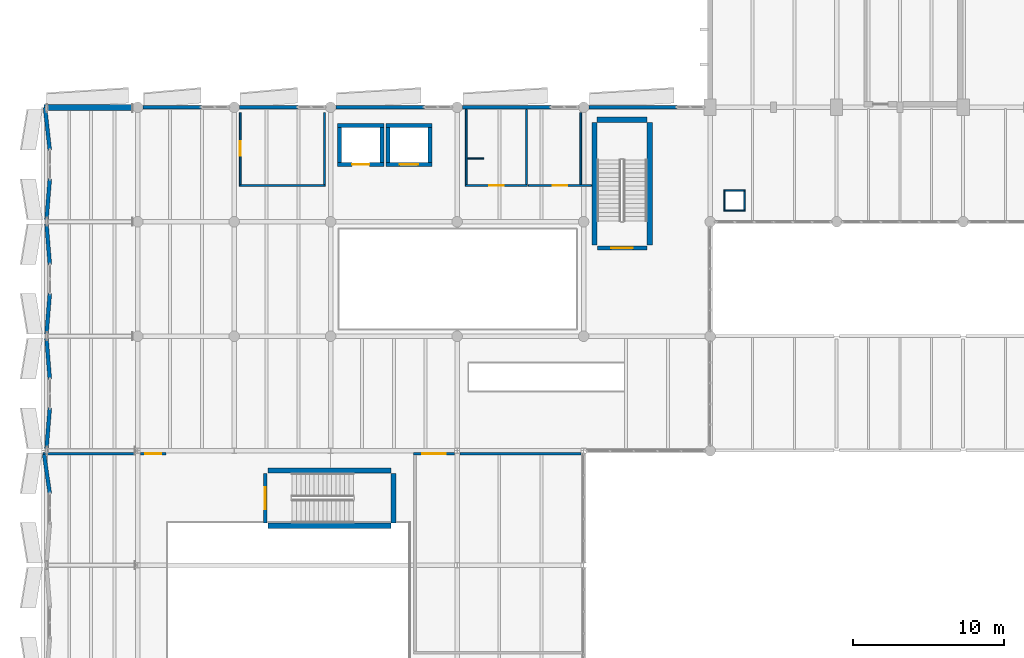
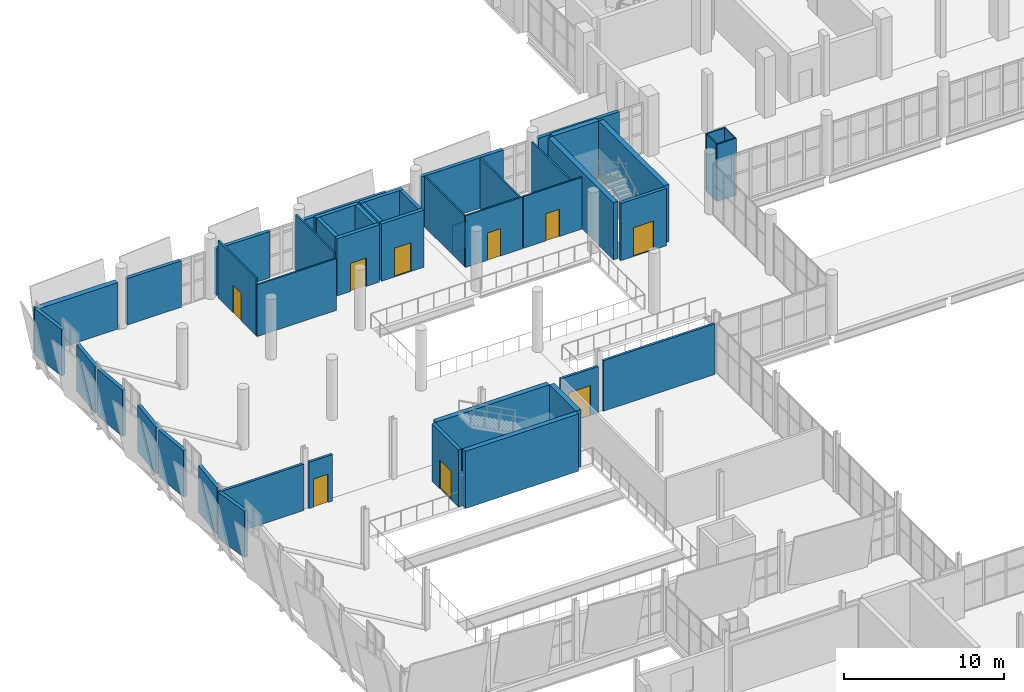
# One storey, part 119 of 136: 46 walls, 9 doors, 9 openings.
"""IFC4 building model written with IfcOpenShell, lengths in metres."""

from ifc_helpers import new_model, si_unit, direction, frame, frame_2d, origin, place, context, subcontext, project, spatial, rectangle, extrude, material, layer, layer_set, type_object, element, fill, save


model = new_model("IFC4")

# Units and contexts
model_context = context("Model", 3, precision=1e-05, world=origin(), true_north=direction((0.0, 1.0)))
body_context = subcontext(model_context, "Body", "Model", "MODEL_VIEW")
ifc_project = project(units=[si_unit("LENGTHUNIT", "METRE"), si_unit("AREAUNIT", "SQUARE_METRE"), si_unit("VOLUMEUNIT", "CUBIC_METRE"), si_unit("PLANEANGLEUNIT", "RADIAN"), si_unit("MASSUNIT", "GRAM", prefix="KILO")], contexts=[model_context])

# Site, building, storey
site_placement = place(None, origin())
site = spatial("IfcSite", under=ifc_project, at=site_placement, CompositionType="ELEMENT")
building_placement = place(site_placement, origin())
building = spatial("IfcBuilding", under=site, at=building_placement, Name="Shengluoqiao Park Theatre", CompositionType="ELEMENT")
storey_placement = place(building_placement, frame((0.0, 0.0, 10.0)))
storey = spatial("IfcBuildingStorey", under=building, at=storey_placement, Name="L02", CompositionType="ELEMENT", Elevation=10.0)

# Walls
ifc_material_1 = material(Name="Concrete C45", Category="concrete")
ifc_layer_1 = layer(ifc_material_1, 0.3798828125, Name="Concrete C45")
ifc_layer_set_1 = layer_set([ifc_layer_1], Name="Concrete C45")
wall_type_1 = type_object("IfcWallType", Name="ENV-WL-CONC380", PredefinedType="STANDARD", material=ifc_layer_set_1)
wall_1_placement = place(storey_placement, frame((0.179931640625, 75.97998046875, 0.0), z_axis=(0.0, 0.0, 1.0), x_axis=(1.0, 0.0, 0.0)))
element("IfcWall", 1, at=wall_1_placement, inside=storey, type_object=wall_type_1, Name="L02 Exterior Wall 0119", PredefinedType="STANDARD", context=body_context, shape_type="SweptSolid", body=[
    extrude(rectangle(XDim=5.865966796875, YDim=0.3798828125, at=frame_2d((2.93310546875, 0.0))), origin(), (0.0, 0.0, 1.0), 3.5380859375),
])
ifc_material_2 = material(Name="Precast concrete C45", Category="concrete")
ifc_layer_2 = layer(ifc_material_2, 0.25, Name="Precast concrete C45")
ifc_layer_set_2 = layer_set([ifc_layer_2], Name="Precast concrete C45")
wall_type_2 = type_object("IfcWallType", Name="ENV-WL-CRYS250", PredefinedType="STANDARD", material=ifc_layer_set_2)
wall_2_placement = place(storey_placement, frame((6.75390625, 76.0, 0.0), z_axis=(0.0, 0.0, 1.0), x_axis=(1.0, 0.0, 0.0)))
element("IfcWall", 2, at=wall_2_placement, inside=storey, type_object=wall_type_2, Name="L02 Exterior Wall 0120", PredefinedType="STANDARD", context=body_context, shape_type="SweptSolid", body=[
    extrude(rectangle(XDim=3.89208984375, YDim=0.25, at=frame_2d((1.946044921875, 0.0))), origin(), (0.0, 0.0, 1.0), 3.5380859375),
])
wall_3_placement = place(storey_placement, frame((13.154052734375, 76.0, 0.0), z_axis=(0.0, 0.0, 1.0), x_axis=(1.0, 0.0, 0.0)))
element("IfcWall", 3, at=wall_3_placement, inside=storey, type_object=wall_type_2, Name="L02 Exterior Wall 0121", PredefinedType="STANDARD", context=body_context, shape_type="SweptSolid", body=[
    extrude(rectangle(XDim=3.891845703125, YDim=0.25, at=frame_2d((1.94580078125, 0.0))), origin(), (0.0, 0.0, 1.0), 3.5380859375),
])
wall_4_placement = place(storey_placement, frame((19.553955078125, 76.0, 0.0), z_axis=(0.0, 0.0, 1.0), x_axis=(1.0, 0.0, 0.0)))
element("IfcWall", 4, at=wall_4_placement, inside=storey, type_object=wall_type_2, Name="L02 Exterior Wall 0122", PredefinedType="STANDARD", context=body_context, shape_type="SweptSolid", body=[
    extrude(rectangle(XDim=5.89208984375, YDim=0.25, at=frame_2d((2.946044921875, 0.0))), origin(), (0.0, 0.0, 1.0), 3.5380859375),
])
wall_5_placement = place(storey_placement, frame((27.9541015625, 76.0, 0.0), z_axis=(0.0, 0.0, 1.0), x_axis=(1.0, 0.0, 0.0)))
element("IfcWall", 5, at=wall_5_placement, inside=storey, type_object=wall_type_2, Name="L02 Exterior Wall 0123", PredefinedType="STANDARD", context=body_context, shape_type="SweptSolid", body=[
    extrude(rectangle(XDim=5.891845703125, YDim=0.25, at=frame_2d((2.94580078125, 0.0))), origin(), (0.0, 0.0, 1.0), 3.85009765625),
])
wall_6_placement = place(storey_placement, frame((36.35400390625, 76.0, 0.0), z_axis=(0.0, 0.0, 1.0), x_axis=(1.0, 0.0, 0.0)))
element("IfcWall", 6, at=wall_6_placement, inside=storey, type_object=wall_type_2, Name="L02 Exterior Wall 0124", PredefinedType="STANDARD", context=body_context, shape_type="SweptSolid", body=[
    extrude(rectangle(XDim=5.842041015625, YDim=0.25, at=frame_2d((2.9208984375, 0.0))), origin(), (0.0, 0.0, 1.0), 3.85009765625),
])
wall_7_placement = place(storey_placement, frame((0.56005859375, 50.340087890625, 0.0), z_axis=(0.0, 0.0, 1.0), x_axis=(-0.14359008471, 0.989637250498, 0.0)))
element("IfcWall", 7, at=wall_7_placement, inside=storey, type_object=wall_type_2, Name="L02 Exterior Wall 0343", PredefinedType="STANDARD", context=body_context, shape_type="SweptSolid", body=[
    extrude(rectangle(XDim=2.647216796875, YDim=0.25, at=frame_2d((1.32373046875, 0.0))), origin(), (0.0, 0.0, 1.0), 3.5380859375),
])
for number, where, z_axis, x_axis, name in (
    (8, (0.340087890625, 53.344970703125, 0.0), (0.0, 0.0, 1.0), (0.080753299301, 0.996734119338, 0.0), "L02 Exterior Wall 0344"),
    (9, (0.56005859375, 57.93994140625, 0.0), (0.0, 0.0, 1.0), (-0.080753299301, 0.996734119338, 0.0), "L02 Exterior Wall 0345"),
):
    element("IfcWall", number, at=place(storey_placement, frame(where, z_axis=z_axis, x_axis=x_axis)), inside=storey, type_object=wall_type_2, Name=name, PredefinedType="STANDARD", context=body_context, shape_type="SweptSolid", body=[
        extrude(rectangle(XDim=2.723876953125, YDim=0.25, at=frame_2d((1.36181640625, 0.0))), origin(), (0.0, 0.0, 1.0), 3.5380859375),
    ])
for number, where, z_axis, x_axis, name in (
    (10, (0.340087890625, 60.945068359375, 0.0), (0.0, 0.0, 1.0), (0.080760513926, 0.996733534798, 0.0), "L02 Exterior Wall 0346"),
    (11, (0.56005859375, 65.5400390625, 0.0), (0.0, 0.0, 1.0), (-0.080760513926, 0.996733534798, 0.0), "L02 Exterior Wall 0347"),
):
    element("IfcWall", number, at=place(storey_placement, frame(where, z_axis=z_axis, x_axis=x_axis)), inside=storey, type_object=wall_type_2, Name=name, PredefinedType="STANDARD", context=body_context, shape_type="SweptSolid", body=[
        extrude(rectangle(XDim=2.7236328125, YDim=0.25, at=frame_2d((1.36181640625, 0.0))), origin(), (0.0, 0.0, 1.0), 3.5380859375),
    ])
wall_8_placement = place(storey_placement, frame((0.340087890625, 68.544921875, 0.0), z_axis=(0.0, 0.0, 1.0), x_axis=(0.080753299301, 0.996734119338, 0.0)))
element("IfcWall", 12, at=wall_8_placement, inside=storey, type_object=wall_type_2, Name="L02 Exterior Wall 0348", PredefinedType="STANDARD", context=body_context, shape_type="SweptSolid", body=[
    extrude(rectangle(XDim=2.723876953125, YDim=0.25, at=frame_2d((1.36181640625, 0.0))), origin(), (0.0, 0.0, 1.0), 3.5380859375),
])
wall_9_placement = place(storey_placement, frame((0.56005859375, 73.139892578125, 0.0), z_axis=(0.0, 0.0, 1.0), x_axis=(-0.111987730746, 0.993709589449, 0.0)))
element("IfcWall", 13, at=wall_9_placement, inside=storey, type_object=wall_type_2, Name="L02 Exterior Wall 0349", PredefinedType="STANDARD", context=body_context, shape_type="SweptSolid", body=[
    extrude(rectangle(XDim=2.858154296875, YDim=0.25, at=frame_2d((1.42919921875, 0.0))), origin(), (0.0, 0.0, 1.0), 3.5380859375),
])

# Wall, opening, door
ifc_material_3 = material(Name="Gypsum acoustic stud", Category="gypsum")
ifc_layer_3 = layer(ifc_material_3, 0.175048828125, Name="Gypsum acoustic stud")
ifc_layer_set_3 = layer_set([ifc_layer_3], Name="Gypsum acoustic stud")
wall_type_3 = type_object("IfcWallType", Name="INT-WL-COR175", PredefinedType="PARTITIONING", material=ifc_layer_set_3)
wall_10_placement = place(storey_placement, frame((6.580078125, 53.0, 0.0), z_axis=(0.0, 0.0, 1.0), x_axis=(1.0, 0.0, 0.0)))
wall_10 = element("IfcWall", 14, at=wall_10_placement, inside=storey, type_object=wall_type_3, Name="Studio Lighting Catwalk and Control Suite Partition N", PredefinedType="PARTITIONING", context=body_context, shape_type="SweptSolid", body=[
    extrude(rectangle(XDim=1.70751953125, YDim=0.175048828125, at=frame_2d((0.853759765625, 0.0))), origin(), (0.0, 0.0, 1.0), 3.5380859375),
])
opening_1_placement = place(wall_10_placement, frame((0.32373046875, 0.0, 0.0)))
opening_1 = element("IfcOpeningElement", 15, at=opening_1_placement, cuts=wall_10, Name="Opening D-L02-069", PredefinedType="OPENING", context=body_context, shape_type="SweptSolid", body=[
    extrude(rectangle(XDim=1.06005859375, YDim=2.14990234375, at=frame_2d((0.530029296875, 1.074951171875))), frame((0.0, 0.097412109375, 0.0), z_axis=(0.0, -1.0, 0.0), x_axis=(1.0, 0.0, 0.0)), (0.0, 0.0, 1.0), 0.195068359375),
])
ifc_material_4 = material(Name="Acoustic timber", Category="wood")
door_type_1 = type_object("IfcDoorType", Name="INT-DR-SNG106", OperationType="NOTDEFINED", PredefinedType="DOOR", material=ifc_material_4)
door_1_placement = place(opening_1_placement, origin())
door_1 = element("IfcDoor", 16, at=door_1_placement, inside=storey, type_object=door_type_1, Name="Studio Lighting Catwalk and Control Suite Door D-L02-069", OperationType="SINGLE_SWING_RIGHT", OverallHeight=2.14990234375, OverallWidth=1.06005859375, PredefinedType="DOOR", context=body_context, shape_type="SweptSolid", body=[
    extrude(rectangle(XDim=1.06005859375, YDim=2.14990234375, at=frame_2d((0.530029296875, 1.074951171875))), frame((0.0, 0.02490234375, 0.0), z_axis=(0.0, -1.0, 0.0), x_axis=(1.0, 0.0, 0.0)), (0.0, 0.0, 1.0), 0.050048828125),
])
fill(opening_1, door_1)

# Wall
wall_11_placement = place(storey_placement, frame((0.112548828125, 53.0, 0.0), z_axis=(0.0, 0.0, 1.0), x_axis=(1.0, 0.0, 0.0)))
element("IfcWall", 17, at=wall_11_placement, inside=storey, type_object=wall_type_3, Name="Studio Lighting Catwalk and Control Suite Partition N", PredefinedType="PARTITIONING", context=body_context, shape_type="SweptSolid", body=[
    extrude(rectangle(XDim=6.107421875, YDim=0.175048828125, at=frame_2d((3.0537109375, 0.0))), origin(), (0.0, 0.0, 1.0), 3.5380859375),
])

# Wall, opening, door
wall_12_placement = place(storey_placement, frame((24.71240234375, 53.0, 0.0), z_axis=(0.0, 0.0, 1.0), x_axis=(1.0, 0.0, 0.0)))
wall_12 = element("IfcWall", 18, at=wall_12_placement, inside=storey, type_object=wall_type_3, Name="Studio East Acoustic Observation Salon Partition N", PredefinedType="PARTITIONING", context=body_context, shape_type="SweptSolid", body=[
    extrude(rectangle(XDim=2.70751953125, YDim=0.175048828125, at=frame_2d((1.353759765625, 0.0))), origin(), (0.0, 0.0, 1.0), 3.5380859375),
])
opening_2_placement = place(wall_12_placement, frame((0.563720703125, 0.0, 0.0)))
opening_2 = element("IfcOpeningElement", 19, at=opening_2_placement, cuts=wall_12, Name="Opening D-L02-070", PredefinedType="OPENING", context=body_context, shape_type="SweptSolid", body=[
    extrude(rectangle(XDim=1.580078125, YDim=2.280029296875, at=frame_2d((0.7900390625, 1.14013671875))), frame((0.0, 0.097412109375, 0.0), z_axis=(0.0, -1.0, 0.0), x_axis=(1.0, 0.0, 0.0)), (0.0, 0.0, 1.0), 0.195068359375),
])
ifc_material_5 = material(Name="Aluminium 6063-T6", Category="aluminium")
door_type_2 = type_object("IfcDoorType", Name="INT-DR-FOY158", OperationType="DOUBLE_DOOR_SINGLE_SWING", PredefinedType="DOOR", material=ifc_material_5)
door_2_placement = place(opening_2_placement, origin())
door_2 = element("IfcDoor", 20, at=door_2_placement, inside=storey, type_object=door_type_2, Name="Studio East Acoustic Observation Salon Door D-L02-070", OperationType="DOUBLE_DOOR_SINGLE_SWING", OverallHeight=2.280029296875, OverallWidth=1.580078125, PredefinedType="DOOR", context=body_context, shape_type="SweptSolid", body=[
    extrude(rectangle(XDim=1.580078125, YDim=2.280029296875, at=frame_2d((0.7900390625, 1.14013671875))), frame((0.0, 0.02490234375, 0.0), z_axis=(0.0, -1.0, 0.0), x_axis=(1.0, 0.0, 0.0)), (0.0, 0.0, 1.0), 0.050048828125),
])
fill(opening_2, door_2)

# Walls
wall_13_placement = place(storey_placement, frame((27.780029296875, 53.0, 0.0), z_axis=(0.0, 0.0, 1.0), x_axis=(1.0, 0.0, 0.0)))
element("IfcWall", 21, at=wall_13_placement, inside=storey, type_object=wall_type_3, Name="Studio East Acoustic Observation Salon Partition N", PredefinedType="PARTITIONING", context=body_context, shape_type="SweptSolid", body=[
    extrude(rectangle(XDim=8.0380859375, YDim=0.175048828125, at=frame_2d((4.01904296875, 0.0))), origin(), (0.0, 0.0, 1.0), 3.85009765625),
])
ifc_material_6 = material(Name="Compact laminate")
ifc_layer_4 = layer(ifc_material_6, 0.074951171875, Name="Compact laminate")
ifc_layer_set_4 = layer_set([ifc_layer_4], Name="Compact laminate")
wall_type_4 = type_object("IfcWallType", Name="INT-WL-CUB075", PredefinedType="PARTITIONING", material=ifc_layer_set_4)
wall_14_placement = place(storey_placement, frame((28.27001953125, 72.60009765625, 0.0), z_axis=(0.0, 0.0, 1.0), x_axis=(1.0, 0.0, 0.0)))
element("IfcWall", 22, at=wall_14_placement, inside=storey, type_object=wall_type_4, Name="L02 WC Cubicle Partition 05", PredefinedType="PARTITIONING", context=body_context, shape_type="SweptSolid", body=[
    extrude(rectangle(XDim=1.10009765625, YDim=0.074951171875, at=frame_2d((0.550048828125, 0.0))), origin(), (0.0, 0.0, 1.0), 2.050048828125),
])
ifc_material_7 = material(Name="Gypsum shaftwall", Category="gypsum")
ifc_layer_5 = layer(ifc_material_7, 0.094970703125, Name="Gypsum shaftwall")
ifc_layer_set_5 = layer_set([ifc_layer_5], Name="Gypsum shaftwall")
wall_type_5 = type_object("IfcWallType", Name="INT-WL-RSR095", PredefinedType="PARTITIONING", material=ifc_layer_set_5)
for number, where, z_axis, x_axis, name in (
    (23, (45.304931640625, 69.14990234375, 0.0), (0.0, 0.0, 1.0), (1.0, 0.0, 0.0), "L02 Service Riser Shaftwall 125"),
    (24, (45.304931640625, 70.469970703125, 0.0), (0.0, 0.0, 1.0), (1.0, 0.0, 0.0), "L02 Service Riser Shaftwall 126"),
):
    element("IfcWall", number, at=place(storey_placement, frame(where, z_axis=z_axis, x_axis=x_axis)), inside=storey, type_object=wall_type_5, Name=name, PredefinedType="PARTITIONING", context=body_context, shape_type="SweptSolid", body=[
        extrude(rectangle(XDim=1.41015625, YDim=0.094970703125, at=frame_2d((0.705078125, 0.0))), origin(), (0.0, 0.0, 1.0), 4.360107421875),
    ])
for number, where, z_axis, x_axis, name in (
    (25, (45.35009765625, 69.205078125, 0.0), (0.0, 0.0, 1.0), (0.0, 1.0, 0.0), "L02 Service Riser Shaftwall 127"),
    (26, (46.669921875, 69.205078125, 0.0), (0.0, 0.0, 1.0), (0.0, 1.0, 0.0), "L02 Service Riser Shaftwall 128"),
):
    element("IfcWall", number, at=place(storey_placement, frame(where, z_axis=z_axis, x_axis=x_axis)), inside=storey, type_object=wall_type_5, Name=name, PredefinedType="PARTITIONING", context=body_context, shape_type="SweptSolid", body=[
        extrude(rectangle(XDim=1.2099609375, YDim=0.094970703125, at=frame_2d((0.60498046875, 0.0))), origin(), (0.0, 0.0, 1.0), 4.360107421875),
    ])

# Wall, opening, door
ifc_material_8 = material(Name="Concrete C40", Category="concrete")
ifc_layer_6 = layer(ifc_material_8, 0.260009765625, Name="Concrete C40")
ifc_layer_set_6 = layer_set([ifc_layer_6], Name="Concrete C40")
wall_type_6 = type_object("IfcWallType", Name="INT-WL-SHF260", PredefinedType="STANDARD", material=ifc_layer_set_6)
wall_15_placement = place(storey_placement, frame((19.669921875, 72.199951171875, 0.0), z_axis=(0.0, 0.0, 1.0), x_axis=(1.0, 0.0, 0.0)))
wall_15 = element("IfcWall", 27, at=wall_15_placement, inside=storey, type_object=wall_type_6, Name="L02 PL1 Lift Shaft Wall South", PredefinedType="STANDARD", context=body_context, shape_type="SweptSolid", body=[
    extrude(rectangle(XDim=3.06005859375, YDim=0.260009765625, at=frame_2d((1.530029296875, 0.0))), origin(), (0.0, 0.0, 1.0), 4.360107421875),
])
opening_3_placement = place(wall_15_placement, frame((0.955078125, 0.0, 0.0)))
opening_3 = element("IfcOpeningElement", 28, at=opening_3_placement, cuts=wall_15, Name="Opening LD-PL1-L02", PredefinedType="OPENING", context=body_context, shape_type="SweptSolid", body=[
    extrude(rectangle(XDim=1.14990234375, YDim=2.14990234375, at=frame_2d((0.574951171875, 1.074951171875))), frame((0.0, 0.139892578125, 0.0), z_axis=(0.0, -1.0, 0.0), x_axis=(1.0, 0.0, 0.0)), (0.0, 0.0, 1.0), 0.280029296875),
])
ifc_material_9 = material(Name="Stainless steel 304", Category="steel")
door_type_3 = type_object("IfcDoorType", Name="INT-DR-LD115", OperationType="SLIDING_TO_LEFT", PredefinedType="DOOR", material=ifc_material_9)
door_3_placement = place(opening_3_placement, origin())
door_3 = element("IfcDoor", 29, at=door_3_placement, inside=storey, type_object=door_type_3, Name="PL1 Lift Landing Door LD-PL1-L02", OperationType="SLIDING_TO_LEFT", OverallHeight=2.14990234375, OverallWidth=1.14990234375, PredefinedType="DOOR", context=body_context, shape_type="SweptSolid", body=[
    extrude(rectangle(XDim=1.14990234375, YDim=2.14990234375, at=frame_2d((0.574951171875, 1.074951171875))), frame((0.0, 0.02490234375, 0.0), z_axis=(0.0, -1.0, 0.0), x_axis=(1.0, 0.0, 0.0)), (0.0, 0.0, 1.0), 0.050048828125),
])
fill(opening_3, door_3)

# Walls
wall_16_placement = place(storey_placement, frame((19.669921875, 74.800048828125, 0.0), z_axis=(0.0, 0.0, 1.0), x_axis=(1.0, 0.0, 0.0)))
element("IfcWall", 30, at=wall_16_placement, inside=storey, type_object=wall_type_6, Name="L02 PL1 Lift Shaft Wall North", PredefinedType="STANDARD", context=body_context, shape_type="SweptSolid", body=[
    extrude(rectangle(XDim=3.06005859375, YDim=0.260009765625, at=frame_2d((1.530029296875, 0.0))), origin(), (0.0, 0.0, 1.0), 4.360107421875),
])
for number, where, z_axis, x_axis, name in (
    (31, (19.800048828125, 72.3359375, 0.0), (0.0, 0.0, 1.0), (0.0, 1.0, 0.0), "L02 PL1 Lift Shaft Wall West"),
    (32, (22.60009765625, 72.3359375, 0.0), (0.0, 0.0, 1.0), (0.0, 1.0, 0.0), "L02 PL1 Lift Shaft Wall East"),
):
    element("IfcWall", number, at=place(storey_placement, frame(where, z_axis=z_axis, x_axis=x_axis)), inside=storey, type_object=wall_type_6, Name=name, PredefinedType="STANDARD", context=body_context, shape_type="SweptSolid", body=[
        extrude(rectangle(XDim=2.328125, YDim=0.260009765625, at=frame_2d((1.1640625, 0.0))), origin(), (0.0, 0.0, 1.0), 4.360107421875),
    ])

# Wall, opening, door
wall_17_placement = place(storey_placement, frame((22.8701171875, 72.199951171875, 0.0), z_axis=(0.0, 0.0, 1.0), x_axis=(1.0, 0.0, 0.0)))
wall_17 = element("IfcWall", 33, at=wall_17_placement, inside=storey, type_object=wall_type_6, Name="L02 PL2 Lift Shaft Wall South", PredefinedType="STANDARD", context=body_context, shape_type="SweptSolid", body=[
    extrude(rectangle(XDim=3.059814453125, YDim=0.260009765625, at=frame_2d((1.52978515625, 0.0))), origin(), (0.0, 0.0, 1.0), 4.360107421875),
])
opening_4_placement = place(wall_17_placement, frame((0.919921875, 0.0, 0.0)))
opening_4 = element("IfcOpeningElement", 34, at=opening_4_placement, cuts=wall_17, Name="Opening LD-PL2-L02", PredefinedType="OPENING", context=body_context, shape_type="SweptSolid", body=[
    extrude(rectangle(XDim=1.219970703125, YDim=2.199951171875, at=frame_2d((0.60986328125, 1.10009765625))), frame((0.0, 0.139892578125, 0.0), z_axis=(0.0, -1.0, 0.0), x_axis=(1.0, 0.0, 0.0)), (0.0, 0.0, 1.0), 0.280029296875),
])
door_type_4 = type_object("IfcDoorType", Name="INT-DR-LD122", OperationType="SLIDING_TO_RIGHT", PredefinedType="DOOR", material=ifc_material_9)
door_4_placement = place(opening_4_placement, origin())
door_4 = element("IfcDoor", 35, at=door_4_placement, inside=storey, type_object=door_type_4, Name="PL2 Lift Landing Door LD-PL2-L02", OperationType="SLIDING_TO_RIGHT", OverallHeight=2.199951171875, OverallWidth=1.219970703125, PredefinedType="DOOR", context=body_context, shape_type="SweptSolid", body=[
    extrude(rectangle(XDim=1.219970703125, YDim=2.199951171875, at=frame_2d((0.60986328125, 1.10009765625))), frame((0.0, 0.02490234375, 0.0), z_axis=(0.0, -1.0, 0.0), x_axis=(1.0, 0.0, 0.0)), (0.0, 0.0, 1.0), 0.050048828125),
])
fill(opening_4, door_4)

# Walls
wall_18_placement = place(storey_placement, frame((22.8701171875, 74.800048828125, 0.0), z_axis=(0.0, 0.0, 1.0), x_axis=(1.0, 0.0, 0.0)))
element("IfcWall", 36, at=wall_18_placement, inside=storey, type_object=wall_type_6, Name="L02 PL2 Lift Shaft Wall North", PredefinedType="STANDARD", context=body_context, shape_type="SweptSolid", body=[
    extrude(rectangle(XDim=3.059814453125, YDim=0.260009765625, at=frame_2d((1.52978515625, 0.0))), origin(), (0.0, 0.0, 1.0), 4.360107421875),
])
for number, where, z_axis, x_axis, name in (
    (37, (23.0, 72.3359375, 0.0), (0.0, 0.0, 1.0), (0.0, 1.0, 0.0), "L02 PL2 Lift Shaft Wall West"),
    (38, (25.800048828125, 72.3359375, 0.0), (0.0, 0.0, 1.0), (0.0, 1.0, 0.0), "L02 PL2 Lift Shaft Wall East"),
):
    element("IfcWall", number, at=place(storey_placement, frame(where, z_axis=z_axis, x_axis=x_axis)), inside=storey, type_object=wall_type_6, Name=name, PredefinedType="STANDARD", context=body_context, shape_type="SweptSolid", body=[
        extrude(rectangle(XDim=2.328125, YDim=0.260009765625, at=frame_2d((1.1640625, 0.0))), origin(), (0.0, 0.0, 1.0), 4.360107421875),
    ])

# Wall, opening, door
ifc_layer_7 = layer(ifc_material_8, 0.239990234375, Name="Concrete C40")
ifc_layer_set_7 = layer_set([ifc_layer_7], Name="Concrete C40")
wall_type_7 = type_object("IfcWallType", Name="INT-WL-STW240", PredefinedType="STANDARD", material=ifc_layer_set_7)
wall_19_placement = place(storey_placement, frame((40.18994140625, 66.659912109375, 0.0), z_axis=(0.0, 0.0, 1.0), x_axis=(-1.0, 0.0, 0.0)))
wall_19 = element("IfcWall", 39, at=wall_19_placement, inside=storey, type_object=wall_type_7, Name="L02 ST-01 Stairwell Fire Wall", PredefinedType="STANDARD", context=body_context, shape_type="SweptSolid", body=[
    extrude(rectangle(XDim=3.280029296875, YDim=0.239990234375, at=frame_2d((1.64013671875, 0.0))), origin(), (0.0, 0.0, 1.0), 4.360107421875),
])
opening_5_placement = place(wall_19_placement, frame((0.9150390625, 0.0, 0.0)))
opening_5 = element("IfcOpeningElement", 40, at=opening_5_placement, cuts=wall_19, Name="Opening SD-01-L02", PredefinedType="OPENING", context=body_context, shape_type="SweptSolid", body=[
    extrude(rectangle(XDim=1.449951171875, YDim=2.199951171875, at=frame_2d((0.72509765625, 1.10009765625))), frame((0.0, 0.1298828125, 0.0), z_axis=(0.0, -1.0, 0.0), x_axis=(1.0, 0.0, 0.0)), (0.0, 0.0, 1.0), 0.260009765625),
])
ifc_material_10 = material(Name="Steel Q355", Category="steel")
door_type_5 = type_object("IfcDoorType", Name="INT-DR-STW145", OperationType="DOUBLE_DOOR_SINGLE_SWING", PredefinedType="DOOR", material=ifc_material_10)
door_5_placement = place(opening_5_placement, origin())
door_5 = element("IfcDoor", 41, at=door_5_placement, inside=storey, type_object=door_type_5, Name="L02 ST-01 Escape Stair Door SD-01-L02", OperationType="DOUBLE_DOOR_SINGLE_SWING", OverallHeight=2.199951171875, OverallWidth=1.449951171875, PredefinedType="DOOR", context=body_context, shape_type="SweptSolid", body=[
    extrude(rectangle(XDim=1.449951171875, YDim=2.199951171875, at=frame_2d((0.72509765625, 1.10009765625))), frame((0.0, 0.02490234375, 0.0), z_axis=(0.0, -1.0, 0.0), x_axis=(1.0, 0.0, 0.0)), (0.0, 0.0, 1.0), 0.050048828125),
])
fill(opening_5, door_5)

wall_20_placement = place(storey_placement, frame((14.860107421875, 48.409912109375, 0.0), z_axis=(0.0, 0.0, 1.0), x_axis=(0.0, 1.0, 0.0)))
wall_20 = element("IfcWall", 42, at=wall_20_placement, inside=storey, type_object=wall_type_7, Name="L02 ST-13 Stairwell Fire Wall", PredefinedType="STANDARD", context=body_context, shape_type="SweptSolid", body=[
    extrude(rectangle(XDim=3.280029296875, YDim=0.239990234375, at=frame_2d((1.64013671875, 0.0))), origin(), (0.0, 0.0, 1.0), 4.360107421875),
])
opening_6_placement = place(wall_20_placement, frame((0.9150390625, 0.0, 0.0)))
opening_6 = element("IfcOpeningElement", 43, at=opening_6_placement, cuts=wall_20, Name="Opening SD-13-L02", PredefinedType="OPENING", context=body_context, shape_type="SweptSolid", body=[
    extrude(rectangle(XDim=1.449951171875, YDim=2.199951171875, at=frame_2d((0.72509765625, 1.10009765625))), frame((0.0, 0.1298828125, 0.0), z_axis=(0.0, -1.0, 0.0), x_axis=(1.0, 0.0, 0.0)), (0.0, 0.0, 1.0), 0.260009765625),
])
door_6_placement = place(opening_6_placement, origin())
door_6 = element("IfcDoor", 44, at=door_6_placement, inside=storey, type_object=door_type_5, Name="L02 ST-13 Escape Stair Door SD-13-L02", OperationType="DOUBLE_DOOR_SINGLE_SWING", OverallHeight=2.199951171875, OverallWidth=1.449951171875, PredefinedType="DOOR", context=body_context, shape_type="SweptSolid", body=[
    extrude(rectangle(XDim=1.449951171875, YDim=2.199951171875, at=frame_2d((0.72509765625, 1.10009765625))), frame((0.0, 0.02490234375, 0.0), z_axis=(0.0, -1.0, 0.0), x_axis=(1.0, 0.0, 0.0)), (0.0, 0.0, 1.0), 0.050048828125),
])
fill(opening_6, door_6)

# Wall
ifc_material_11 = material(Name="Moisture-resistant board")
ifc_layer_8 = layer(ifc_material_11, 0.114990234375, Name="Moisture-resistant board")
ifc_layer_set_8 = layer_set([ifc_layer_8], Name="Moisture-resistant board")
wall_type_8 = type_object("IfcWallType", Name="INT-WL-WCP115", PredefinedType="PARTITIONING", material=ifc_layer_set_8)
wall_21_placement = place(storey_placement, frame((13.142578125, 70.800048828125, 0.0), z_axis=(0.0, 0.0, 1.0), x_axis=(1.0, 0.0, 0.0)))
element("IfcWall", 45, at=wall_21_placement, inside=storey, type_object=wall_type_8, Name="Second Balcony Public Female WC Partition S", PredefinedType="PARTITIONING", context=body_context, shape_type="SweptSolid", body=[
    extrude(rectangle(XDim=5.71484375, YDim=0.114990234375, at=frame_2d((2.857421875, 0.0))), origin(), (0.0, 0.0, 1.0), 3.93798828125),
])

# Wall, opening, door
wall_22_placement = place(storey_placement, frame((13.199951171875, 70.863525390625, 0.0), z_axis=(0.0, 0.0, 1.0), x_axis=(0.0, 1.0, 0.0)))
wall_22 = element("IfcWall", 46, at=wall_22_placement, inside=storey, type_object=wall_type_8, Name="Second Balcony Public Female WC Partition W", PredefinedType="PARTITIONING", context=body_context, shape_type="SweptSolid", body=[
    extrude(rectangle(XDim=4.778564453125, YDim=0.114990234375, at=frame_2d((2.38916015625, 0.0))), origin(), (0.0, 0.0, 1.0), 4.360107421875),
])
opening_7_placement = place(wall_22_placement, frame((1.9091796875, 0.0, 0.0)))
opening_7 = element("IfcOpeningElement", 47, at=opening_7_placement, cuts=wall_22, Name="Opening D-L02-054", PredefinedType="OPENING", context=body_context, shape_type="SweptSolid", body=[
    extrude(rectangle(XDim=0.9599609375, YDim=2.080078125, at=frame_2d((0.47998046875, 1.0400390625))), frame((0.0, 0.0673828125, 0.0), z_axis=(0.0, -1.0, 0.0), x_axis=(1.0, 0.0, 0.0)), (0.0, 0.0, 1.0), 0.135009765625),
])
ifc_material_12 = material(Name="Moisture-resistant laminate")
door_type_6 = type_object("IfcDoorType", Name="INT-DR-ACC096", OperationType="NOTDEFINED", PredefinedType="DOOR", material=ifc_material_12)
door_7_placement = place(opening_7_placement, origin())
door_7 = element("IfcDoor", 48, at=door_7_placement, inside=storey, type_object=door_type_6, Name="Second Balcony Public Female WC Door D-L02-054", OperationType="SINGLE_SWING_RIGHT", OverallHeight=2.080078125, OverallWidth=0.9599609375, PredefinedType="DOOR", context=body_context, shape_type="SweptSolid", body=[
    extrude(rectangle(XDim=0.9599609375, YDim=2.080078125, at=frame_2d((0.47998046875, 1.0400390625))), frame((0.0, 0.02490234375, 0.0), z_axis=(0.0, -1.0, 0.0), x_axis=(1.0, 0.0, 0.0)), (0.0, 0.0, 1.0), 0.050048828125),
])
fill(opening_7, door_7)

# Wall
wall_23_placement = place(storey_placement, frame((18.800048828125, 70.863525390625, 0.0), z_axis=(0.0, 0.0, 1.0), x_axis=(0.0, 1.0, 0.0)))
element("IfcWall", 49, at=wall_23_placement, inside=storey, type_object=wall_type_8, Name="Second Balcony Public Female WC Partition E", PredefinedType="PARTITIONING", context=body_context, shape_type="SweptSolid", body=[
    extrude(rectangle(XDim=4.778564453125, YDim=0.114990234375, at=frame_2d((2.38916015625, 0.0))), origin(), (0.0, 0.0, 1.0), 4.360107421875),
])

# Wall, opening, door
wall_24_placement = place(storey_placement, frame((28.142578125, 70.800048828125, 0.0), z_axis=(0.0, 0.0, 1.0), x_axis=(1.0, 0.0, 0.0)))
wall_24 = element("IfcWall", 50, at=wall_24_placement, inside=storey, type_object=wall_type_8, Name="Second Balcony Public Male WC Partition S", PredefinedType="PARTITIONING", context=body_context, shape_type="SweptSolid", body=[
    extrude(rectangle(XDim=4.114990234375, YDim=0.114990234375, at=frame_2d((2.0576171875, 0.0))), origin(), (0.0, 0.0, 1.0), 3.93798828125),
])
opening_8_placement = place(wall_24_placement, frame((1.577392578125, 0.0, 0.0)))
opening_8 = element("IfcOpeningElement", 51, at=opening_8_placement, cuts=wall_24, Name="Opening D-L02-055", PredefinedType="OPENING", context=body_context, shape_type="SweptSolid", body=[
    extrude(rectangle(XDim=0.9599609375, YDim=2.080078125, at=frame_2d((0.47998046875, 1.0400390625))), frame((0.0, 0.0673828125, 0.0), z_axis=(0.0, -1.0, 0.0), x_axis=(1.0, 0.0, 0.0)), (0.0, 0.0, 1.0), 0.135009765625),
])
door_8_placement = place(opening_8_placement, origin())
door_8 = element("IfcDoor", 52, at=door_8_placement, inside=storey, type_object=door_type_6, Name="Second Balcony Public Male WC Door D-L02-055", OperationType="SINGLE_SWING_LEFT", OverallHeight=2.080078125, OverallWidth=0.9599609375, PredefinedType="DOOR", context=body_context, shape_type="SweptSolid", body=[
    extrude(rectangle(XDim=0.9599609375, YDim=2.080078125, at=frame_2d((0.47998046875, 1.0400390625))), frame((0.0, 0.02490234375, 0.0), z_axis=(0.0, -1.0, 0.0), x_axis=(1.0, 0.0, 0.0)), (0.0, 0.0, 1.0), 0.050048828125),
])
fill(opening_8, door_8)

# Walls
for number, where, z_axis, x_axis, name in (
    (53, (28.199951171875, 70.863525390625, 0.0), (0.0, 0.0, 1.0), (0.0, 1.0, 0.0), "Second Balcony Public Male WC Partition W"),
    (54, (32.199951171875, 70.863525390625, 0.0), (0.0, 0.0, 1.0), (0.0, 1.0, 0.0), "Second Balcony Public Male WC Partition E"),
):
    element("IfcWall", number, at=place(storey_placement, frame(where, z_axis=z_axis, x_axis=x_axis)), inside=storey, type_object=wall_type_8, Name=name, PredefinedType="PARTITIONING", context=body_context, shape_type="SweptSolid", body=[
        extrude(rectangle(XDim=5.00341796875, YDim=0.114990234375, at=frame_2d((2.501708984375, 0.0))), origin(), (0.0, 0.0, 1.0), 3.85009765625),
    ])

# Wall, opening, door
wall_25_placement = place(storey_placement, frame((32.3349609375, 70.800048828125, 0.0), z_axis=(0.0, 0.0, 1.0), x_axis=(1.0, 0.0, 0.0)))
wall_25 = element("IfcWall", 55, at=wall_25_placement, inside=storey, type_object=wall_type_8, Name="Second Balcony Accessible WC Partition S", PredefinedType="PARTITIONING", context=body_context, shape_type="SweptSolid", body=[
    extrude(rectangle(XDim=4.2021484375, YDim=0.114990234375, at=frame_2d((2.10107421875, 0.0))), origin(), (0.0, 0.0, 1.0), 3.93798828125),
])
opening_9_placement = place(wall_25_placement, frame((1.62109375, 0.0, 0.0)))
opening_9 = element("IfcOpeningElement", 56, at=opening_9_placement, cuts=wall_25, Name="Opening D-L02-056", PredefinedType="OPENING", context=body_context, shape_type="SweptSolid", body=[
    extrude(rectangle(XDim=0.9599609375, YDim=2.080078125, at=frame_2d((0.47998046875, 1.0400390625))), frame((0.0, 0.0673828125, 0.0), z_axis=(0.0, -1.0, 0.0), x_axis=(1.0, 0.0, 0.0)), (0.0, 0.0, 1.0), 0.135009765625),
])
door_9_placement = place(opening_9_placement, origin())
door_9 = element("IfcDoor", 57, at=door_9_placement, inside=storey, type_object=door_type_6, Name="Second Balcony Accessible WC Door D-L02-056", OperationType="SINGLE_SWING_RIGHT", OverallHeight=2.080078125, OverallWidth=0.9599609375, PredefinedType="DOOR", context=body_context, shape_type="SweptSolid", body=[
    extrude(rectangle(XDim=0.9599609375, YDim=2.080078125, at=frame_2d((0.47998046875, 1.0400390625))), frame((0.0, 0.02490234375, 0.0), z_axis=(0.0, -1.0, 0.0), x_axis=(1.0, 0.0, 0.0)), (0.0, 0.0, 1.0), 0.050048828125),
])
fill(opening_9, door_9)

# Walls
wall_26_placement = place(storey_placement, frame((35.800048828125, 70.863525390625, 0.0), z_axis=(0.0, 0.0, 1.0), x_axis=(0.0, 1.0, 0.0)))
element("IfcWall", 58, at=wall_26_placement, inside=storey, type_object=wall_type_8, Name="Second Balcony Accessible WC Partition E", PredefinedType="PARTITIONING", context=body_context, shape_type="SweptSolid", body=[
    extrude(rectangle(XDim=4.778564453125, YDim=0.114990234375, at=frame_2d((2.38916015625, 0.0))), origin(), (0.0, 0.0, 1.0), 3.947998046875),
])
ifc_material_13 = material(Name="Concrete C50", Category="concrete")
ifc_layer_9 = layer(ifc_material_13, 0.35009765625, Name="Concrete C50")
ifc_layer_set_9 = layer_set([ifc_layer_9], Name="Concrete C50")
wall_type_9 = type_object("IfcWallType", Name="STR-SW-CORE350", PredefinedType="SHEAR", material=ifc_layer_set_9)
wall_27_placement = place(storey_placement, frame((40.3798828125, 66.85009765625, 0.0), z_axis=(0.0, 0.0, 1.0), x_axis=(0.0, 1.0, 0.0)))
element("IfcWall", 59, at=wall_27_placement, inside=storey, type_object=wall_type_9, Name="L02 ST-01 Core Left Shear Wall 0031", PredefinedType="SHEAR", context=body_context, shape_type="SweptSolid", body=[
    extrude(rectangle(XDim=8.14990234375, YDim=0.35009765625, at=frame_2d((4.074951171875, 0.0))), origin(), (0.0, 0.0, 1.0), 4.360107421875),
])
wall_28_placement = place(storey_placement, frame((40.199951171875, 75.179931640625, 0.0), z_axis=(0.0, 0.0, 1.0), x_axis=(-1.0, 0.0, 0.0)))
element("IfcWall", 60, at=wall_28_placement, inside=storey, type_object=wall_type_9, Name="L02 ST-01 Core Far Shear Wall 0032", PredefinedType="SHEAR", context=body_context, shape_type="SweptSolid", body=[
    extrude(rectangle(XDim=3.300048828125, YDim=0.35009765625, at=frame_2d((1.64990234375, 0.0))), origin(), (0.0, 0.0, 1.0), 4.360107421875),
])
for number, where, z_axis, x_axis, name in (
    (61, (36.719970703125, 75.0, 0.0), (0.0, 0.0, 1.0), (0.0, -1.0, 0.0), "L02 ST-01 Core Right Shear Wall 0033"),
    (62, (15.050048828125, 48.219970703125, 0.0), (0.0, 0.0, 1.0), (1.0, 0.0, 0.0), "L02 ST-13 Core Left Shear Wall 0175"),
):
    element("IfcWall", number, at=place(storey_placement, frame(where, z_axis=z_axis, x_axis=x_axis)), inside=storey, type_object=wall_type_9, Name=name, PredefinedType="SHEAR", context=body_context, shape_type="SweptSolid", body=[
        extrude(rectangle(XDim=8.14990234375, YDim=0.35009765625, at=frame_2d((4.074951171875, 0.0))), origin(), (0.0, 0.0, 1.0), 4.360107421875),
    ])
wall_29_placement = place(storey_placement, frame((23.3798828125, 48.39990234375, 0.0), z_axis=(0.0, 0.0, 1.0), x_axis=(0.0, 1.0, 0.0)))
element("IfcWall", 63, at=wall_29_placement, inside=storey, type_object=wall_type_9, Name="L02 ST-13 Core Far Shear Wall 0176", PredefinedType="SHEAR", context=body_context, shape_type="SweptSolid", body=[
    extrude(rectangle(XDim=3.300048828125, YDim=0.35009765625, at=frame_2d((1.64990234375, 0.0))), origin(), (0.0, 0.0, 1.0), 4.360107421875),
])
wall_30_placement = place(storey_placement, frame((23.199951171875, 51.8798828125, 0.0), z_axis=(0.0, 0.0, 1.0), x_axis=(-1.0, 0.0, 0.0)))
element("IfcWall", 64, at=wall_30_placement, inside=storey, type_object=wall_type_9, Name="L02 ST-13 Core Right Shear Wall 0177", PredefinedType="SHEAR", context=body_context, shape_type="SweptSolid", body=[
    extrude(rectangle(XDim=8.14990234375, YDim=0.35009765625, at=frame_2d((4.074951171875, 0.0))), origin(), (0.0, 0.0, 1.0), 4.360107421875),
])

save(model, "model.ifc")
